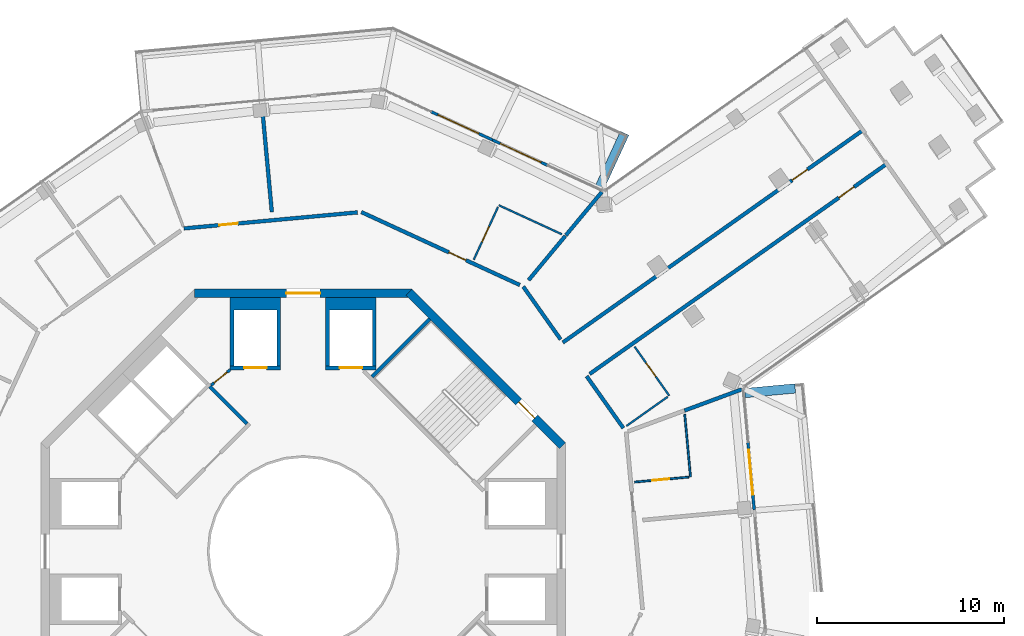
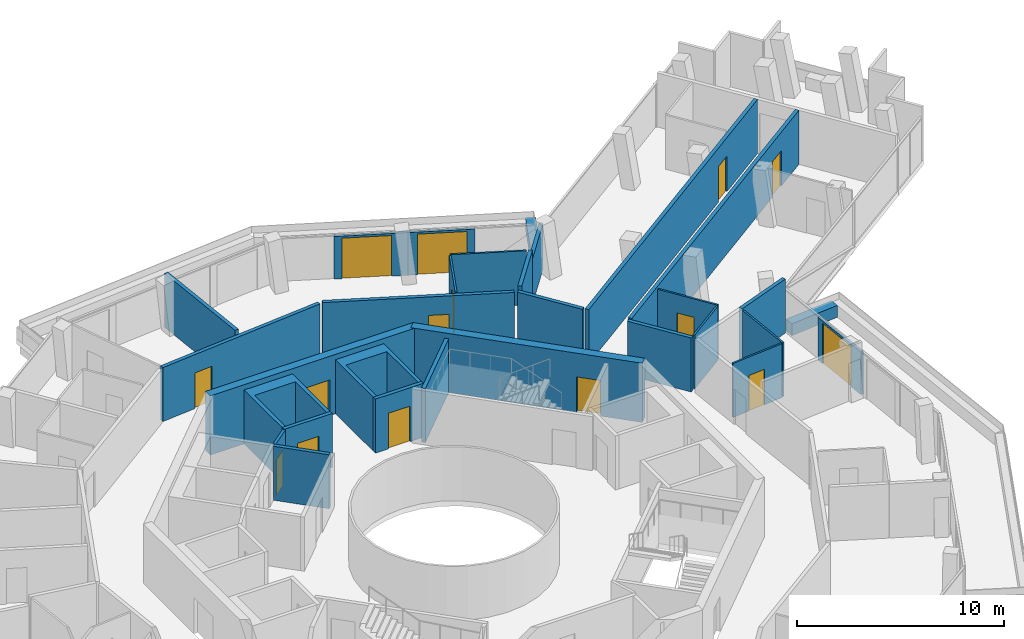
# One storey, part 21 of 25: 30 walls, 15 doors, 15 openings.
"""IFC4 building model written with IfcOpenShell, lengths in metres."""

from ifc_helpers import new_model, si_unit, direction, frame, frame_2d, origin, place, context, subcontext, project, spatial, polyline, rectangle, outline, extrude, material, layer, layer_set, type_object, element, fill, save


model = new_model("IFC4")

# Units and contexts
model_context = context("Model", 3, precision=1e-05, world=origin(), true_north=direction((0.0, 1.0)))
body_context = subcontext(model_context, "Body", "Model", "MODEL_VIEW")
ifc_project = project(units=[si_unit("LENGTHUNIT", "METRE"), si_unit("AREAUNIT", "SQUARE_METRE"), si_unit("VOLUMEUNIT", "CUBIC_METRE"), si_unit("PLANEANGLEUNIT", "RADIAN"), si_unit("MASSUNIT", "GRAM", prefix="KILO")], contexts=[model_context])

# Site, building, storey
site_placement = place(None, origin())
site = spatial("IfcSite", under=ifc_project, at=site_placement, CompositionType="ELEMENT")
building_placement = place(site_placement, origin())
building = spatial("IfcBuilding", under=site, at=building_placement, Name="Verdalira Terraces Hotel", CompositionType="ELEMENT")
storey_placement = place(building_placement, frame((0.0, 0.0, 299.5)))
storey = spatial("IfcBuildingStorey", under=building, at=storey_placement, Name="L74", CompositionType="ELEMENT", Elevation=299.5)

# Walls
ifc_material_1 = material(Name="Concrete C40", Category="concrete")
ifc_layer_1 = layer(ifc_material_1, 0.5)
ifc_layer_set_1 = layer_set([ifc_layer_1], Name="Balcony planter trough with tree")
wall_type_1 = type_object("IfcWallType", Name="Balcony planter trough with tree", PredefinedType="SOLIDWALL", material=ifc_layer_set_1)
wall_1_placement = place(storey_placement, frame((26.268799, 8.704346, 0.0), z_axis=(0.0, 0.0, 1.0), x_axis=(-0.995751125, -0.092085269, 0.0)))
element("IfcWall", 1, at=wall_1_placement, inside=storey, type_object=wall_type_1, Name="Balcony planter", PredefinedType="SOLIDWALL", context=body_context, shape_type="SweptSolid", body=[
    extrude(rectangle(XDim=2.698975, YDim=0.5, at=frame_2d((1.349609, 0.0))), origin(), (0.0, 0.0, 1.0), 0.699951),
])
wall_2_placement = place(storey_placement, frame((15.822021, 19.422607, 0.0), z_axis=(0.0, 0.0, 1.0), x_axis=(0.418225571, 0.908343202, 0.0)))
element("IfcWall", 2, at=wall_2_placement, inside=storey, type_object=wall_type_1, Name="Balcony planter", PredefinedType="SOLIDWALL", context=body_context, shape_type="SweptSolid", body=[
    extrude(rectangle(XDim=3.198975, YDim=0.5, at=frame_2d((1.599609, 0.0))), origin(), (0.0, 0.0, 1.0), 0.699951),
])

# Wall, opening, door
ifc_material_2 = material(Name="Moisture-resistant gypsum board partition")
ifc_layer_2 = layer(ifc_material_2, 0.10009765625)
ifc_layer_set_2 = layer_set([ifc_layer_2], Name="Bathroom partition 100 mm")
wall_type_2 = type_object("IfcWallType", Name="Bathroom partition 100 mm", PredefinedType="PARTITIONING", material=ifc_layer_set_2)
wall_3_placement = place(storey_placement, frame((10.403564, 18.393311, 0.0), z_axis=(0.0, 0.0, 1.0), x_axis=(-0.418188991, -0.908360043, 0.0)))
wall_3 = element("IfcWall", 3, at=wall_3_placement, inside=storey, type_object=wall_type_2, Name="Bathroom partition", PredefinedType="PARTITIONING", context=body_context, shape_type="SweptSolid", body=[
    extrude(rectangle(XDim=3.100098, YDim=0.100098, at=frame_2d((1.550049, 0.0))), origin(), (0.0, 0.0, 1.0), 3.189941),
])
opening_1_placement = place(wall_3_placement, frame((1.149902, 0.0, 0.0)))
opening_1 = element("IfcOpeningElement", 4, at=opening_1_placement, cuts=wall_3, Name="Opening L74-128", PredefinedType="OPENING", context=body_context, shape_type="SweptSolid", body=[
    extrude(rectangle(XDim=0.899902, YDim=2.100098, at=frame_2d((0.449951, 1.050049))), frame((0.0, 0.060059, 0.0), z_axis=(0.0, -1.0, 0.0), x_axis=(1.0, 0.0, 0.0)), (0.0, 0.0, 1.0), 0.120117),
])
ifc_material_3 = material(Name="Timber door", Category="wood")
door_type_1 = type_object("IfcDoorType", Name="Bathroom door 900 x 2100", OperationType="NOTDEFINED", PredefinedType="DOOR", material=ifc_material_3)
door_1_placement = place(opening_1_placement, origin())
door_1 = element("IfcDoor", 5, at=door_1_placement, inside=storey, type_object=door_type_1, Name="Bathroom door 7411", OperationType="SINGLE_SWING_LEFT", OverallHeight=2.10009765625, OverallWidth=0.89990234375, PredefinedType="DOOR", context=body_context, shape_type="SweptSolid", body=[
    extrude(rectangle(XDim=0.899902, YDim=2.100098, at=frame_2d((0.449951, 1.050049))), frame((0.0, 0.024902, 0.0), z_axis=(0.0, -1.0, 0.0), x_axis=(1.0, 0.0, 0.0)), (0.0, 0.0, 1.0), 0.050049),
])
fill(opening_1, door_1)

# Walls
wall_4_placement = place(storey_placement, frame((10.445312, 18.484131, 0.0), z_axis=(0.0, 0.0, 1.0), x_axis=(0.908371796, -0.418163462, 0.0)))
element("IfcWall", 6, at=wall_4_placement, inside=storey, type_object=wall_type_2, Name="Bathroom partition", PredefinedType="PARTITIONING", context=body_context, shape_type="SweptSolid", body=[
    extrude(rectangle(XDim=3.703857, YDim=0.100098, at=frame_2d((1.852051, 0.0))), origin(), (0.0, 0.0, 1.0), 3.189941),
])
wall_5_placement = place(storey_placement, frame((17.259277, 6.69873, 0.0), z_axis=(0.0, 0.0, 1.0), x_axis=(0.816315813, 0.577605828, 0.0)))
element("IfcWall", 7, at=wall_5_placement, inside=storey, type_object=wall_type_2, Name="Bathroom partition", PredefinedType="PARTITIONING", context=body_context, shape_type="SweptSolid", body=[
    extrude(rectangle(XDim=2.699951, YDim=0.100098, at=frame_2d((1.350098, 0.0))), origin(), (0.0, 0.0, 1.0), 3.189941),
])

# Wall, opening, door
wall_6_placement = place(storey_placement, frame((19.544922, 8.315918, 0.0), z_axis=(0.0, 0.0, 1.0), x_axis=(-0.57755154, 0.816354224, 0.0)))
wall_6 = element("IfcWall", 8, at=wall_6_placement, inside=storey, type_object=wall_type_2, Name="Bathroom partition", PredefinedType="PARTITIONING", context=body_context, shape_type="SweptSolid", body=[
    extrude(rectangle(XDim=3.199951, YDim=0.100098, at=frame_2d((1.600098, 0.0))), origin(), (0.0, 0.0, 1.0), 3.189941),
])
opening_2_placement = place(wall_6_placement, frame((1.25, 0.0, 0.0)))
opening_2 = element("IfcOpeningElement", 9, at=opening_2_placement, cuts=wall_6, Name="Opening L74-124", PredefinedType="OPENING", context=body_context, shape_type="SweptSolid", body=[
    extrude(rectangle(XDim=0.899902, YDim=2.100098, at=frame_2d((0.449951, 1.050049))), frame((0.0, 0.060059, 0.0), z_axis=(0.0, -1.0, 0.0), x_axis=(1.0, 0.0, 0.0)), (0.0, 0.0, 1.0), 0.120117),
])
door_2_placement = place(opening_2_placement, origin())
door_2 = element("IfcDoor", 10, at=door_2_placement, inside=storey, type_object=door_type_1, Name="Bathroom door 7409", OperationType="SINGLE_SWING_LEFT", OverallHeight=2.10009765625, OverallWidth=0.89990234375, PredefinedType="DOOR", context=body_context, shape_type="SweptSolid", body=[
    extrude(rectangle(XDim=0.899902, YDim=2.100098, at=frame_2d((0.449951, 1.050049))), frame((0.0, 0.024902, 0.0), z_axis=(0.0, -1.0, 0.0), x_axis=(1.0, 0.0, 0.0)), (0.0, 0.0, 1.0), 0.050049),
])
fill(opening_2, door_2)

wall_7_placement = place(storey_placement, frame((17.692627, 3.702148, 0.0), z_axis=(0.0, 0.0, 1.0), x_axis=(0.995757546, 0.09201581, 0.0)))
wall_7 = element("IfcWall", 11, at=wall_7_placement, inside=storey, type_object=wall_type_2, Name="Bathroom partition", PredefinedType="PARTITIONING", context=body_context, shape_type="SweptSolid", body=[
    extrude(rectangle(XDim=2.899902, YDim=0.100098, at=frame_2d((1.449951, 0.0))), origin(), (0.0, 0.0, 1.0), 3.189941),
])
opening_3_placement = place(wall_7_placement, frame((0.949951, 0.0, 0.0)))
opening_3 = element("IfcOpeningElement", 12, at=opening_3_placement, cuts=wall_7, Name="Opening L74-121", PredefinedType="OPENING", context=body_context, shape_type="SweptSolid", body=[
    extrude(rectangle(XDim=0.899902, YDim=2.100098, at=frame_2d((0.449951, 1.050049))), frame((0.0, 0.060059, 0.0), z_axis=(0.0, -1.0, 0.0), x_axis=(1.0, 0.0, 0.0)), (0.0, 0.0, 1.0), 0.120117),
])
door_3_placement = place(opening_3_placement, origin())
door_3 = element("IfcDoor", 13, at=door_3_placement, inside=storey, type_object=door_type_1, Name="Bathroom door 7408", OperationType="SINGLE_SWING_RIGHT", OverallHeight=2.10009765625, OverallWidth=0.89990234375, PredefinedType="DOOR", context=body_context, shape_type="SweptSolid", body=[
    extrude(rectangle(XDim=0.899902, YDim=2.100098, at=frame_2d((0.449951, 1.050049))), frame((0.0, 0.024902, 0.0), z_axis=(0.0, -1.0, 0.0), x_axis=(1.0, 0.0, 0.0)), (0.0, 0.0, 1.0), 0.050049),
])
fill(opening_3, door_3)

# Walls
wall_8_placement = place(storey_placement, frame((20.371582, 7.314453, 0.0), z_axis=(0.0, 0.0, 1.0), x_axis=(0.092033641, -0.995755898, 0.0)))
element("IfcWall", 14, at=wall_8_placement, inside=storey, type_object=wall_type_2, Name="Bathroom partition", PredefinedType="PARTITIONING", context=body_context, shape_type="SweptSolid", body=[
    extrude(rectangle(XDim=3.350342, YDim=0.100098, at=frame_2d((1.675293, 0.0))), origin(), (0.0, 0.0, 1.0), 3.189941),
])
ifc_material_4 = material(Name="Concrete C50", Category="concrete")
ifc_layer_3 = layer(ifc_material_4, 0.199951171875)
ifc_layer_set_3 = layer_set([ifc_layer_3], Name="Core RC wall 200 C50")
wall_type_3 = type_object("IfcWallType", Name="Core RC wall 200 C50", PredefinedType="SOLIDWALL", material=ifc_layer_set_3)
wall_9_placement = place(storey_placement, origin())
element("IfcWall", 15, at=wall_9_placement, inside=storey, type_object=wall_type_3, Name="L74 shaft wall N1", PredefinedType="SOLIDWALL", context=body_context, shape_type="SweptSolid", body=[
    extrude(outline(polyline([(3.899902, 9.899902), (3.699951, 9.899902), (3.699951, 12.899902), (1.399902, 12.899902), (1.399902, 9.899902), (1.199951, 9.899902), (1.199951, 13.550049), (3.899902, 13.550049), (3.899902, 9.899902)])), origin(), (0.0, 0.0, 1.0), 3.189941),
])

# Wall, opening, door
wall_10_placement = place(storey_placement, frame((1.199951, 9.800049, 0.0), z_axis=(0.0, 0.0, 1.0), x_axis=(1.0, 0.0, 0.0)))
wall_10 = element("IfcWall", 16, at=wall_10_placement, inside=storey, type_object=wall_type_3, Name="L74 shaft front wall N1", PredefinedType="SOLIDWALL", context=body_context, shape_type="SweptSolid", body=[
    extrude(rectangle(XDim=2.699951, YDim=0.199951, at=frame_2d((1.350098, 0.0))), origin(), (0.0, 0.0, 1.0), 3.189941),
])
opening_4_placement = place(wall_10_placement, frame((0.75, 0.0, 0.0)))
opening_4 = element("IfcOpeningElement", 17, at=opening_4_placement, cuts=wall_10, Name="Opening LD-L74-804", PredefinedType="OPENING", context=body_context, shape_type="SweptSolid", body=[
    extrude(rectangle(XDim=1.199951, YDim=2.100098, at=frame_2d((0.600098, 1.050049))), frame((0.0, 0.109863, 0.0), z_axis=(0.0, -1.0, 0.0), x_axis=(1.0, 0.0, 0.0)), (0.0, 0.0, 1.0), 0.219971),
])
ifc_material_5 = material(Name="Stainless steel", Category="steel")
door_type_2 = type_object("IfcDoorType", Name="Landing door 1200 x 2100", OperationType="NOTDEFINED", PredefinedType="DOOR", material=ifc_material_5)
door_4_placement = place(opening_4_placement, origin())
door_4 = element("IfcDoor", 18, at=door_4_placement, inside=storey, type_object=door_type_2, Name="Lift landing door HR3 L74", OperationType="DOUBLE_DOOR_SLIDING", OverallHeight=2.10009765625, OverallWidth=1.199951171875, PredefinedType="DOOR", context=body_context, shape_type="SweptSolid", body=[
    extrude(rectangle(XDim=1.199951, YDim=2.100098, at=frame_2d((0.600098, 1.050049))), frame((0.0, 0.024902, 0.0), z_axis=(0.0, -1.0, 0.0), x_axis=(1.0, 0.0, 0.0)), (0.0, 0.0, 1.0), 0.050049),
])
fill(opening_4, door_4)

# Wall
wall_11_placement = place(storey_placement, origin())
element("IfcWall", 19, at=wall_11_placement, inside=storey, type_object=wall_type_3, Name="L74 shaft wall N2", PredefinedType="SOLIDWALL", context=body_context, shape_type="SweptSolid", body=[
    extrude(outline(polyline([(-3.899902, 13.550049), (-1.199951, 13.550049), (-1.199951, 9.899902), (-1.399902, 9.899902), (-1.399902, 12.899902), (-3.699951, 12.899902), (-3.699951, 9.899902), (-3.899902, 9.899902), (-3.899902, 13.550049)])), origin(), (0.0, 0.0, 1.0), 3.189941),
])

# Wall, opening, door
wall_12_placement = place(storey_placement, frame((-1.199951, 9.800049, 0.0), z_axis=(0.0, 0.0, 1.0), x_axis=(-1.0, 0.0, 0.0)))
wall_12 = element("IfcWall", 20, at=wall_12_placement, inside=storey, type_object=wall_type_3, Name="L74 shaft front wall N2", PredefinedType="SOLIDWALL", context=body_context, shape_type="SweptSolid", body=[
    extrude(rectangle(XDim=2.699951, YDim=0.199951, at=frame_2d((1.350098, 0.0))), origin(), (0.0, 0.0, 1.0), 3.189941),
])
opening_5_placement = place(wall_12_placement, frame((0.75, 0.0, 0.0)))
opening_5 = element("IfcOpeningElement", 21, at=opening_5_placement, cuts=wall_12, Name="Opening LD-L74-805", PredefinedType="OPENING", context=body_context, shape_type="SweptSolid", body=[
    extrude(rectangle(XDim=1.199951, YDim=2.100098, at=frame_2d((0.600098, 1.050049))), frame((0.0, 0.109863, 0.0), z_axis=(0.0, -1.0, 0.0), x_axis=(1.0, 0.0, 0.0)), (0.0, 0.0, 1.0), 0.219971),
])
door_5_placement = place(opening_5_placement, origin())
door_5 = element("IfcDoor", 22, at=door_5_placement, inside=storey, type_object=door_type_2, Name="Lift landing door HR4 L74", OperationType="DOUBLE_DOOR_SLIDING", OverallHeight=2.10009765625, OverallWidth=1.199951171875, PredefinedType="DOOR", context=body_context, shape_type="SweptSolid", body=[
    extrude(rectangle(XDim=1.199951, YDim=2.100098, at=frame_2d((0.600098, 1.050049))), frame((0.0, 0.024902, 0.0), z_axis=(0.0, -1.0, 0.0), x_axis=(1.0, 0.0, 0.0)), (0.0, 0.0, 1.0), 0.050049),
])
fill(opening_5, door_5)

# Walls
wall_13_placement = place(storey_placement, frame((3.677002, 9.33374, 0.0), z_axis=(0.0, 0.0, 1.0), x_axis=(0.707106781, 0.707106781, 0.0)))
element("IfcWall", 23, at=wall_13_placement, inside=storey, type_object=wall_type_3, Name="L74 stair ST1 end wall 2", PredefinedType="SOLIDWALL", context=body_context, shape_type="SweptSolid", body=[
    extrude(rectangle(XDim=4.350098, YDim=0.199951, at=frame_2d((2.175049, 0.0))), origin(), (0.0, 0.0, 1.0), 3.189941),
])
wall_14_placement = place(storey_placement, frame((-3.005127, 6.823486, 0.0), z_axis=(0.0, 0.0, 1.0), x_axis=(-0.707106781, 0.707106781, 0.0)))
element("IfcWall", 24, at=wall_14_placement, inside=storey, type_object=wall_type_3, Name="L74 fire lobby wall", PredefinedType="SOLIDWALL", context=body_context, shape_type="SweptSolid", body=[
    extrude(rectangle(XDim=2.800049, YDim=0.199951, at=frame_2d((1.399902, 0.0))), origin(), (0.0, 0.0, 1.0), 3.189941),
])

# Wall, opening, door
ifc_material_6 = material(Name="Gypsum board partition")
ifc_layer_4 = layer(ifc_material_6, 0.14990234375)
ifc_layer_set_4 = layer_set([ifc_layer_4], Name="Core partition 150 mm")
wall_type_4 = type_object("IfcWallType", Name="Core partition 150 mm", PredefinedType="PARTITIONING", material=ifc_layer_set_4)
wall_15_placement = place(storey_placement, frame((-3.899902, 9.699951, 0.0), z_axis=(0.0, 0.0, 1.0), x_axis=(-0.775559878, -0.631274009, 0.0)))
wall_15 = element("IfcWall", 25, at=wall_15_placement, inside=storey, type_object=wall_type_4, Name="Room partition L74", PredefinedType="PARTITIONING", context=body_context, shape_type="SweptSolid", body=[
    extrude(rectangle(XDim=1.307861, YDim=0.149902, at=frame_2d((0.653809, 0.0))), origin(), (0.0, 0.0, 1.0), 3.189941),
])
opening_6_placement = place(wall_15_placement, frame((0.204102, 0.0, 0.0)))
opening_6 = element("IfcOpeningElement", 26, at=opening_6_placement, cuts=wall_15, Name="Opening L74-820", PredefinedType="OPENING", context=body_context, shape_type="SweptSolid", body=[
    extrude(rectangle(XDim=0.899902, YDim=2.100098, at=frame_2d((0.449951, 1.050049))), frame((0.0, 0.084961, 0.0), z_axis=(0.0, -1.0, 0.0), x_axis=(1.0, 0.0, 0.0)), (0.0, 0.0, 1.0), 0.169922),
])
ifc_material_7 = material(Name="Steel fire door", Category="steel")
door_type_3 = type_object("IfcDoorType", Name="Core room door 900 x 2100", OperationType="NOTDEFINED", PredefinedType="DOOR", material=ifc_material_7)
door_6_placement = place(opening_6_placement, origin())
door_6 = element("IfcDoor", 27, at=door_6_placement, inside=storey, type_object=door_type_3, Name="Door L74 room2", OperationType="SINGLE_SWING_LEFT", OverallHeight=2.10009765625, OverallWidth=0.89990234375, PredefinedType="DOOR", context=body_context, shape_type="SweptSolid", body=[
    extrude(rectangle(XDim=0.899902, YDim=2.100098, at=frame_2d((0.449951, 1.050049))), frame((0.0, 0.024902, 0.0), z_axis=(0.0, -1.0, 0.0), x_axis=(1.0, 0.0, 0.0)), (0.0, 0.0, 1.0), 0.050049),
])
fill(opening_6, door_6)

ifc_material_8 = material(Name="Concrete C50", Category="concrete")
ifc_layer_5 = layer(ifc_material_8, 0.449951171875)
ifc_layer_set_5 = layer_set([ifc_layer_5], Name="Core wall 450 C50")
wall_type_5 = type_object("IfcWallType", Name="Core wall 450 C50", PredefinedType="SHEAR", material=ifc_layer_set_5)
wall_16_placement = place(storey_placement, frame((13.84082, 5.639893, 0.0), z_axis=(0.0, 0.0, 1.0), x_axis=(-0.707106781, 0.707106781, 0.0)))
wall_16 = element("IfcWall", 28, at=wall_16_placement, inside=storey, type_object=wall_type_5, Name="Core wall CW-L74-2", PredefinedType="SHEAR", context=body_context, shape_type="SweptSolid", body=[
    extrude(rectangle(XDim=11.5979, YDim=0.449951, at=frame_2d((5.798828, 0.0))), origin(), (0.0, 0.0, 1.0), 3.5),
])
opening_7_placement = place(wall_16_placement, frame((2.099121, 0.0, 0.0)))
opening_7 = element("IfcOpeningElement", 29, at=opening_7_placement, cuts=wall_16, Name="Opening L74-816", PredefinedType="OPENING", context=body_context, shape_type="SweptSolid", body=[
    extrude(rectangle(XDim=1.199951, YDim=2.100098, at=frame_2d((0.600098, 1.050049))), frame((0.0, 0.234863, 0.0), z_axis=(0.0, -1.0, 0.0), x_axis=(1.0, 0.0, 0.0)), (0.0, 0.0, 1.0), 0.469971),
])
ifc_material_9 = material(Name="Steel fire door", Category="steel")
door_type_4 = type_object("IfcDoorType", Name="Stair door 1200 x 2100", OperationType="NOTDEFINED", PredefinedType="DOOR", material=ifc_material_9)
door_7_placement = place(opening_7_placement, origin())
door_7 = element("IfcDoor", 30, at=door_7_placement, inside=storey, type_object=door_type_4, Name="Stair exit door ST1 L74", OperationType="SINGLE_SWING_LEFT", OverallHeight=2.10009765625, OverallWidth=1.199951171875, PredefinedType="DOOR", context=body_context, shape_type="SweptSolid", body=[
    extrude(rectangle(XDim=1.199951, YDim=2.100098, at=frame_2d((0.600098, 1.050049))), frame((0.0, 0.024902, 0.0), z_axis=(0.0, -1.0, 0.0), x_axis=(1.0, 0.0, 0.0)), (0.0, 0.0, 1.0), 0.050049),
])
fill(opening_7, door_7)

wall_17_placement = place(storey_placement, frame((5.799072, 13.774902, 0.0), z_axis=(0.0, 0.0, 1.0), x_axis=(-1.0, 0.0, 0.0)))
wall_17 = element("IfcWall", 31, at=wall_17_placement, inside=storey, type_object=wall_type_5, Name="Core wall CW-L74-3", PredefinedType="SHEAR", context=body_context, shape_type="SweptSolid", body=[
    extrude(rectangle(XDim=11.598145, YDim=0.449951, at=frame_2d((5.799072, 0.0))), origin(), (0.0, 0.0, 1.0), 3.5),
])
opening_8_placement = place(wall_17_placement, frame((4.898926, 0.0, 0.0)))
opening_8 = element("IfcOpeningElement", 32, at=opening_8_placement, cuts=wall_17, Name="Opening L74-814", PredefinedType="OPENING", context=body_context, shape_type="SweptSolid", body=[
    extrude(rectangle(XDim=1.800049, YDim=2.100098, at=frame_2d((0.899902, 1.050049))), frame((0.0, 0.234863, 0.0), z_axis=(0.0, -1.0, 0.0), x_axis=(1.0, 0.0, 0.0)), (0.0, 0.0, 1.0), 0.469971),
])
ifc_material_10 = material(Name="Steel fire door", Category="steel")
door_type_5 = type_object("IfcDoorType", Name="Core entry door pair 1800 x 2100", OperationType="NOTDEFINED", PredefinedType="DOOR", material=ifc_material_10)
door_8_placement = place(opening_8_placement, origin())
door_8 = element("IfcDoor", 33, at=door_8_placement, inside=storey, type_object=door_type_5, Name="Core entry door L74 2", OperationType="DOUBLE_DOOR_SINGLE_SWING", OverallHeight=2.10009765625, OverallWidth=1.800048828125, PredefinedType="DOOR", context=body_context, shape_type="SweptSolid", body=[
    extrude(rectangle(XDim=1.800049, YDim=2.100098, at=frame_2d((0.899902, 1.050049))), frame((0.0, 0.024902, 0.0), z_axis=(0.0, -1.0, 0.0), x_axis=(1.0, 0.0, 0.0)), (0.0, 0.0, 1.0), 0.050049),
])
fill(opening_8, door_8)

# Walls
ifc_material_11 = material(Name="Fire-rated gypsum board wall")
ifc_layer_6 = layer(ifc_material_11, 0.199951171875)
ifc_layer_set_6 = layer_set([ifc_layer_6], Name="Demising wall 200 mm")
wall_type_6 = type_object("IfcWallType", Name="Demising wall 200 mm", PredefinedType="SOLIDWALL", material=ifc_layer_set_6)
wall_18_placement = place(storey_placement, frame((-1.675293, 18.128418, 0.0), z_axis=(0.0, 0.0, 1.0), x_axis=(-0.092027338, 0.995756481, 0.0)))
element("IfcWall", 34, at=wall_18_placement, inside=storey, type_object=wall_type_6, Name="Demising wall", PredefinedType="SOLIDWALL", context=body_context, shape_type="SweptSolid", body=[
    extrude(rectangle(XDim=5.902832, YDim=0.199951, at=frame_2d((2.951416, 0.0))), origin(), (0.0, 0.0, 1.0), 3.189941),
])
wall_19_placement = place(storey_placement, frame((12.034424, 14.485107, 0.0), z_axis=(0.0, 0.0, 1.0), x_axis=(0.639035595, 0.769177163, 0.0)))
element("IfcWall", 35, at=wall_19_placement, inside=storey, type_object=wall_type_6, Name="Demising wall", PredefinedType="SOLIDWALL", context=body_context, shape_type="SweptSolid", body=[
    extrude(rectangle(XDim=3.074707, YDim=0.199951, at=frame_2d((1.537354, 0.0))), origin(), (0.0, 0.0, 1.0), 3.189941),
])
wall_20_placement = place(storey_placement, frame((20.352539, 7.520508, 0.0), z_axis=(0.0, 0.0, 1.0), x_axis=(0.937995555, 0.346647282, 0.0)))
element("IfcWall", 36, at=wall_20_placement, inside=storey, type_object=wall_type_6, Name="Demising wall", PredefinedType="SOLIDWALL", context=body_context, shape_type="SweptSolid", body=[
    extrude(rectangle(XDim=3.266602, YDim=0.199951, at=frame_2d((1.633301, 0.0))), origin(), (0.0, 0.0, 1.0), 3.189941),
])
ifc_material_12 = material(Name="Fire-rated gypsum board wall")
ifc_layer_7 = layer(ifc_material_12, 0.199951171875)
ifc_layer_set_7 = layer_set([ifc_layer_7], Name="Demising wall 200 mm to beam soffit")
wall_type_7 = type_object("IfcWallType", Name="Demising wall 200 mm to beam soffit", PredefinedType="SOLIDWALL", material=ifc_layer_set_7)
wall_21_placement = place(storey_placement, frame((14.028564, 16.885498, 0.0), z_axis=(0.0, 0.0, 1.0), x_axis=(0.63904331, 0.769170754, 0.0)))
element("IfcWall", 37, at=wall_21_placement, inside=storey, type_object=wall_type_7, Name="Demising wall", PredefinedType="SOLIDWALL", context=body_context, shape_type="SweptSolid", body=[
    extrude(rectangle(XDim=3.01123, YDim=0.199951, at=frame_2d((1.505615, 0.0))), origin(), (0.0, 0.0, 1.0), 2.689941),
])

# Wall, opening, door
ifc_material_13 = material(Name="Fire-rated gypsum board wall")
ifc_layer_8 = layer(ifc_material_13, 0.199951171875)
ifc_layer_set_8 = layer_set([ifc_layer_8], Name="Guest corridor wall 200 mm")
wall_type_8 = type_object("IfcWallType", Name="Guest corridor wall 200 mm", PredefinedType="SOLIDWALL", material=ifc_layer_set_8)
wall_22_placement = place(storey_placement, frame((-6.372314, 17.245117, 0.0), z_axis=(0.0, 0.0, 1.0), x_axis=(0.995758077, 0.092010069, 0.0)))
wall_22 = element("IfcWall", 38, at=wall_22_placement, inside=storey, type_object=wall_type_8, Name="Guest corridor wall", PredefinedType="SOLIDWALL", context=body_context, shape_type="SweptSolid", body=[
    extrude(rectangle(XDim=9.316162, YDim=0.199951, at=frame_2d((4.658203, 0.0))), origin(), (0.0, 0.0, 1.0), 3.189941),
])
opening_9_placement = place(wall_22_placement, frame((1.899902, 0.0, 0.0)))
opening_9 = element("IfcOpeningElement", 39, at=opening_9_placement, cuts=wall_22, Name="Opening L74-129", PredefinedType="OPENING", context=body_context, shape_type="SweptSolid", body=[
    extrude(rectangle(XDim=1.0, YDim=2.100098, at=frame_2d((0.5, 1.050049))), frame((0.0, 0.109863, 0.0), z_axis=(0.0, -1.0, 0.0), x_axis=(1.0, 0.0, 0.0)), (0.0, 0.0, 1.0), 0.219971),
])
ifc_material_14 = material(Name="Timber fire door", Category="wood")
door_type_6 = type_object("IfcDoorType", Name="Guest entry door 1000 x 2100", OperationType="NOTDEFINED", PredefinedType="DOOR", material=ifc_material_14)
door_9_placement = place(opening_9_placement, origin())
door_9 = element("IfcDoor", 40, at=door_9_placement, inside=storey, type_object=door_type_6, Name="Guest entry door 7412", OperationType="SINGLE_SWING_LEFT", OverallHeight=2.10009765625, OverallWidth=1.0, PredefinedType="DOOR", context=body_context, shape_type="SweptSolid", body=[
    extrude(rectangle(XDim=1.0, YDim=2.100098, at=frame_2d((0.5, 1.050049))), frame((0.0, 0.024902, 0.0), z_axis=(0.0, -1.0, 0.0), x_axis=(1.0, 0.0, 0.0)), (0.0, 0.0, 1.0), 0.050049),
])
fill(opening_9, door_9)

wall_23_placement = place(storey_placement, frame((3.104492, 18.120605, 0.0), z_axis=(0.0, 0.0, 1.0), x_axis=(0.908366241, -0.418175527, 0.0)))
wall_23 = element("IfcWall", 41, at=wall_23_placement, inside=storey, type_object=wall_type_8, Name="Guest corridor wall", PredefinedType="SOLIDWALL", context=body_context, shape_type="SweptSolid", body=[
    extrude(rectangle(XDim=9.316162, YDim=0.199951, at=frame_2d((4.658203, 0.0))), origin(), (0.0, 0.0, 1.0), 3.189941),
])
opening_10_placement = place(wall_23_placement, frame((5.149902, 0.0, 0.0)))
opening_10 = element("IfcOpeningElement", 42, at=opening_10_placement, cuts=wall_23, Name="Opening L74-127", PredefinedType="OPENING", context=body_context, shape_type="SweptSolid", body=[
    extrude(rectangle(XDim=1.0, YDim=2.100098, at=frame_2d((0.5, 1.050049))), frame((0.0, 0.109863, 0.0), z_axis=(0.0, -1.0, 0.0), x_axis=(1.0, 0.0, 0.0)), (0.0, 0.0, 1.0), 0.219971),
])
door_10_placement = place(opening_10_placement, origin())
door_10 = element("IfcDoor", 43, at=door_10_placement, inside=storey, type_object=door_type_6, Name="Guest entry door 7411", OperationType="SINGLE_SWING_LEFT", OverallHeight=2.10009765625, OverallWidth=1.0, PredefinedType="DOOR", context=body_context, shape_type="SweptSolid", body=[
    extrude(rectangle(XDim=1.0, YDim=2.100098, at=frame_2d((0.5, 1.050049))), frame((0.0, 0.024902, 0.0), z_axis=(0.0, -1.0, 0.0), x_axis=(1.0, 0.0, 0.0)), (0.0, 0.0, 1.0), 0.050049),
])
fill(opening_10, door_10)

# Walls
wall_24_placement = place(storey_placement, frame((13.74585, 11.318115, 0.0), z_axis=(0.0, 0.0, 1.0), x_axis=(-0.577572602, 0.816339322, 0.0)))
element("IfcWall", 44, at=wall_24_placement, inside=storey, type_object=wall_type_8, Name="Guest corridor wall", PredefinedType="SOLIDWALL", context=body_context, shape_type="SweptSolid", body=[
    extrude(rectangle(XDim=3.458008, YDim=0.199951, at=frame_2d((1.729004, 0.0))), origin(), (0.0, 0.0, 1.0), 3.189941),
])
wall_25_placement = place(storey_placement, frame((17.095947, 6.583252, 0.0), z_axis=(0.0, 0.0, 1.0), x_axis=(-0.577584946, 0.816330589, 0.0)))
element("IfcWall", 45, at=wall_25_placement, inside=storey, type_object=wall_type_8, Name="Guest corridor wall", PredefinedType="SOLIDWALL", context=body_context, shape_type="SweptSolid", body=[
    extrude(rectangle(XDim=3.400146, YDim=0.199951, at=frame_2d((1.700195, 0.0))), origin(), (0.0, 0.0, 1.0), 3.189941),
])

# Wall, opening, door
wall_26_placement = place(storey_placement, frame((13.861572, 11.154785, 0.0), z_axis=(0.0, 0.0, 1.0), x_axis=(0.816339076, 0.57757295, 0.0)))
wall_26 = element("IfcWall", 46, at=wall_26_placement, inside=storey, type_object=wall_type_8, Name="Guest corridor wall", PredefinedType="SOLIDWALL", context=body_context, shape_type="SweptSolid", body=[
    extrude(rectangle(XDim=19.545166, YDim=0.199951, at=frame_2d((9.772461, 0.0))), origin(), (0.0, 0.0, 1.0), 3.189941),
])
opening_11_placement = place(wall_26_placement, frame((15.0, 0.0, 0.0)))
opening_11 = element("IfcOpeningElement", 47, at=opening_11_placement, cuts=wall_26, Name="Opening L74-125", PredefinedType="OPENING", context=body_context, shape_type="SweptSolid", body=[
    extrude(rectangle(XDim=1.0, YDim=2.100098, at=frame_2d((0.5, 1.050049))), frame((0.0, 0.109863, 0.0), z_axis=(0.0, -1.0, 0.0), x_axis=(1.0, 0.0, 0.0)), (0.0, 0.0, 1.0), 0.219971),
])
door_11_placement = place(opening_11_placement, origin())
door_11 = element("IfcDoor", 48, at=door_11_placement, inside=storey, type_object=door_type_6, Name="Guest entry door 7410", OperationType="SINGLE_SWING_LEFT", OverallHeight=2.10009765625, OverallWidth=1.0, PredefinedType="DOOR", context=body_context, shape_type="SweptSolid", body=[
    extrude(rectangle(XDim=1.0, YDim=2.100098, at=frame_2d((0.5, 1.050049))), frame((0.0, 0.024902, 0.0), z_axis=(0.0, -1.0, 0.0), x_axis=(1.0, 0.0, 0.0)), (0.0, 0.0, 1.0), 0.050049),
])
fill(opening_11, door_11)

wall_27_placement = place(storey_placement, frame((31.087891, 20.647705, 0.0), z_axis=(0.0, 0.0, 1.0), x_axis=(-0.816341334, -0.57756976, 0.0)))
wall_27 = element("IfcWall", 49, at=wall_27_placement, inside=storey, type_object=wall_type_8, Name="Guest corridor wall", PredefinedType="SOLIDWALL", context=body_context, shape_type="SweptSolid", body=[
    extrude(rectangle(XDim=19.345459, YDim=0.199951, at=frame_2d((9.672852, 0.0))), origin(), (0.0, 0.0, 1.0), 3.189941),
])
opening_12_placement = place(wall_27_placement, frame((2.050049, 0.0, 0.0)))
opening_12 = element("IfcOpeningElement", 50, at=opening_12_placement, cuts=wall_27, Name="Opening L74-122", PredefinedType="OPENING", context=body_context, shape_type="SweptSolid", body=[
    extrude(rectangle(XDim=1.0, YDim=2.100098, at=frame_2d((0.5, 1.050049))), frame((0.0, 0.109863, 0.0), z_axis=(0.0, -1.0, 0.0), x_axis=(1.0, 0.0, 0.0)), (0.0, 0.0, 1.0), 0.219971),
])
door_12_placement = place(opening_12_placement, origin())
door_12 = element("IfcDoor", 51, at=door_12_placement, inside=storey, type_object=door_type_6, Name="Guest entry door 7409", OperationType="SINGLE_SWING_LEFT", OverallHeight=2.10009765625, OverallWidth=1.0, PredefinedType="DOOR", context=body_context, shape_type="SweptSolid", body=[
    extrude(rectangle(XDim=1.0, YDim=2.100098, at=frame_2d((0.5, 1.050049))), frame((0.0, 0.024902, 0.0), z_axis=(0.0, -1.0, 0.0), x_axis=(1.0, 0.0, 0.0)), (0.0, 0.0, 1.0), 0.050049),
])
fill(opening_12, door_12)

ifc_material_15 = material(Name="Terracotta cladding", Category="masonry")
ifc_layer_9 = layer(ifc_material_15, 0.14990234375)
ifc_layer_set_9 = layer_set([ifc_layer_9], Name="Terracotta door pier 150")
wall_type_9 = type_object("IfcWallType", Name="Terracotta door pier 150", PredefinedType="SOLIDWALL", material=ifc_layer_set_9)
wall_28_placement = place(storey_placement, frame((24.080811, 2.225342, 0.0), z_axis=(0.0, 0.0, 1.0), x_axis=(-0.092077804, 0.995751815, 0.0)))
wall_28 = element("IfcWall", 52, at=wall_28_placement, inside=storey, type_object=wall_type_9, Name="Terracotta door pier", PredefinedType="SOLIDWALL", context=body_context, shape_type="SweptSolid", body=[
    extrude(rectangle(XDim=3.611328, YDim=0.149902, at=frame_2d((1.805664, 0.0))), origin(), (0.0, 0.0, 1.0), 2.524902),
])
opening_13_placement = place(wall_28_placement, frame((0.811279, 0.0, 0.0)))
opening_13 = element("IfcOpeningElement", 53, at=opening_13_placement, cuts=wall_28, Name="Opening L74-B14", PredefinedType="OPENING", context=body_context, shape_type="SweptSolid", body=[
    extrude(rectangle(XDim=2.399902, YDim=2.399902, at=frame_2d((1.199951, 1.199951))), frame((0.0, 0.084961, 0.0), z_axis=(0.0, -1.0, 0.0), x_axis=(1.0, 0.0, 0.0)), (0.0, 0.0, 1.0), 0.169922),
])
ifc_material_16 = material(Name="Clear glass", Category="glass")
door_type_7 = type_object("IfcDoorType", Name="Balcony sliding door 2400x2400", OperationType="NOTDEFINED", PredefinedType="DOOR", material=ifc_material_16)
door_13_placement = place(opening_13_placement, origin())
door_13 = element("IfcDoor", 54, at=door_13_placement, inside=storey, type_object=door_type_7, Name="Balcony sliding door", OperationType="SLIDING_TO_LEFT", OverallHeight=2.39990234375, OverallWidth=2.39990234375, PredefinedType="DOOR", context=body_context, shape_type="SweptSolid", body=[
    extrude(rectangle(XDim=2.399902, YDim=2.399902, at=frame_2d((1.199951, 1.199951))), frame((0.0, 0.024902, 0.0), z_axis=(0.0, -1.0, 0.0), x_axis=(1.0, 0.0, 0.0)), (0.0, 0.0, 1.0), 0.050049),
])
fill(opening_13, door_13)

wall_29_placement = place(storey_placement, frame((13.065186, 20.608154, 0.0), z_axis=(0.0, 0.0, 1.0), x_axis=(-0.90835693, 0.418195752, 0.0)))
wall_29 = element("IfcWall", 55, at=wall_29_placement, inside=storey, type_object=wall_type_9, Name="Terracotta door pier", PredefinedType="SOLIDWALL", context=body_context, shape_type="SweptSolid", body=[
    extrude(rectangle(XDim=3.25, YDim=0.149902, at=frame_2d((1.625, 0.0))), origin(), (0.0, 0.0, 1.0), 2.524902),
])
opening_14_placement = place(wall_29_placement, frame((0.399902, 0.0, 0.0)))
opening_14 = element("IfcOpeningElement", 56, at=opening_14_placement, cuts=wall_29, Name="Opening L74-B15", PredefinedType="OPENING", context=body_context, shape_type="SweptSolid", body=[
    extrude(rectangle(XDim=2.399902, YDim=2.399902, at=frame_2d((1.199951, 1.199951))), frame((0.0, 0.084961, 0.0), z_axis=(0.0, -1.0, 0.0), x_axis=(1.0, 0.0, 0.0)), (0.0, 0.0, 1.0), 0.169922),
])
door_14_placement = place(opening_14_placement, origin())
door_14 = element("IfcDoor", 57, at=door_14_placement, inside=storey, type_object=door_type_7, Name="Balcony sliding door", OperationType="SLIDING_TO_RIGHT", OverallHeight=2.39990234375, OverallWidth=2.39990234375, PredefinedType="DOOR", context=body_context, shape_type="SweptSolid", body=[
    extrude(rectangle(XDim=2.399902, YDim=2.399902, at=frame_2d((1.199951, 1.199951))), frame((0.0, 0.024902, 0.0), z_axis=(0.0, -1.0, 0.0), x_axis=(1.0, 0.0, 0.0)), (0.0, 0.0, 1.0), 0.050049),
])
fill(opening_14, door_14)

wall_30_placement = place(storey_placement, frame((10.113037, 21.967285, 0.0), z_axis=(0.0, 0.0, 1.0), x_axis=(-0.908376452, 0.418153346, 0.0)))
wall_30 = element("IfcWall", 58, at=wall_30_placement, inside=storey, type_object=wall_type_9, Name="Terracotta door pier", PredefinedType="SOLIDWALL", context=body_context, shape_type="SweptSolid", body=[
    extrude(rectangle(XDim=3.611084, YDim=0.149902, at=frame_2d((1.805664, 0.0))), origin(), (0.0, 0.0, 1.0), 2.524902),
])
opening_15_placement = place(wall_30_placement, frame((0.811279, 0.0, 0.0)))
opening_15 = element("IfcOpeningElement", 59, at=opening_15_placement, cuts=wall_30, Name="Opening L74-B16", PredefinedType="OPENING", context=body_context, shape_type="SweptSolid", body=[
    extrude(rectangle(XDim=2.399902, YDim=2.399902, at=frame_2d((1.199951, 1.199951))), frame((0.0, 0.084961, 0.0), z_axis=(0.0, -1.0, 0.0), x_axis=(1.0, 0.0, 0.0)), (0.0, 0.0, 1.0), 0.169922),
])
door_15_placement = place(opening_15_placement, origin())
door_15 = element("IfcDoor", 60, at=door_15_placement, inside=storey, type_object=door_type_7, Name="Balcony sliding door", OperationType="SLIDING_TO_LEFT", OverallHeight=2.39990234375, OverallWidth=2.39990234375, PredefinedType="DOOR", context=body_context, shape_type="SweptSolid", body=[
    extrude(rectangle(XDim=2.399902, YDim=2.399902, at=frame_2d((1.199951, 1.199951))), frame((0.0, 0.024902, 0.0), z_axis=(0.0, -1.0, 0.0), x_axis=(1.0, 0.0, 0.0)), (0.0, 0.0, 1.0), 0.050049),
])
fill(opening_15, door_15)

save(model, "model.ifc")
